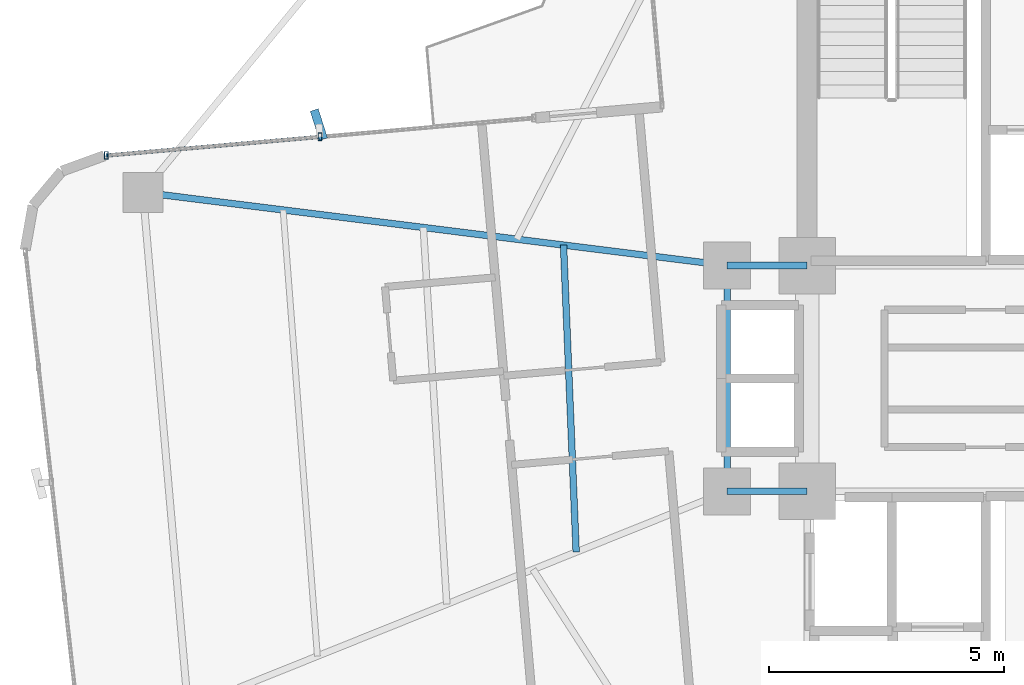
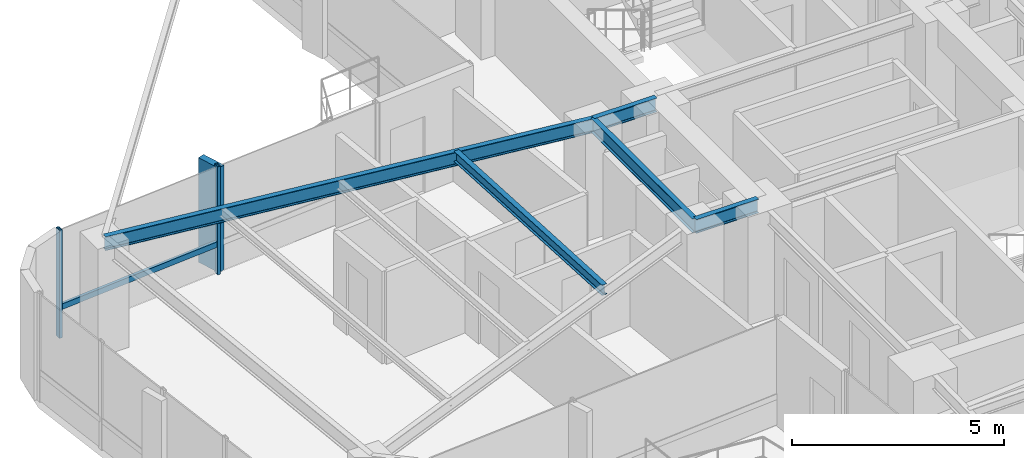
# One storey, part 9 of 24: 5 beams, 4 members, 1 element without a shape of its own.
"""IFC4 building model written with IfcOpenShell, lengths in metres."""

from ifc_helpers import new_model, si_unit, direction, frame, origin, origin_2d, place, context, subcontext, project, spatial, rectangle, hollow_rectangle, i_section, extrude, source, transform, mapped, material, material_profile, profile_set, type_object, element, aggregate, save


model = new_model("IFC4")

# Units and contexts
model_context = context("Model", 3, precision=1e-05, world=origin(), true_north=direction((0.0, 1.0)))
body_context = subcontext(model_context, "Body", "Model", "MODEL_VIEW")
ifc_project = project(units=[si_unit("LENGTHUNIT", "METRE"), si_unit("AREAUNIT", "SQUARE_METRE"), si_unit("VOLUMEUNIT", "CUBIC_METRE"), si_unit("PLANEANGLEUNIT", "RADIAN"), si_unit("MASSUNIT", "GRAM", prefix="KILO")], contexts=[model_context])

# Site, building, storey
site_placement = place(None, origin())
site = spatial("IfcSite", under=ifc_project, at=site_placement, CompositionType="ELEMENT")
building_placement = place(site_placement, origin())
building = spatial("IfcBuilding", under=site, at=building_placement, Name="Sahyath Konkavel Grand Hotel", CompositionType="ELEMENT")
storey_placement = place(building_placement, frame((0.0, 0.0, 157.300048828125)))
storey = spatial("IfcBuildingStorey", under=building, at=storey_placement, Name="L43", CompositionType="ELEMENT", Elevation=157.300048828125)

# Beams
ifc_material_1 = material(Name="Steel E350", Category="steel")
ifc_material_profile_1 = material_profile(ifc_material_1, i_section(OverallWidth=0.139892578125, OverallDepth=0.39990234375, WebThickness=0.0087890625, FlangeThickness=0.01611328125, FilletRadius=0.013916015625, at=origin_2d()), Name="ISMB 400")
ifc_profile_set_1 = profile_set([ifc_material_profile_1], Name="Steel E350")
beam_type_1 = type_object("IfcBeamType", Name="BM-ISMB400", PredefinedType="BEAM", material=ifc_profile_set_1)
shared_shape_1 = source(origin(), body_context, "Body", "SweptSolid", [
    extrude(i_section(OverallWidth=0.139892578125, OverallDepth=0.39990234375, WebThickness=0.0087890625, FlangeThickness=0.01611328125, FilletRadius=0.013916015625, at=origin_2d()), origin(), (0.0, 0.0, 1.0), 1.699951171875),
])
for number, where, z_axis, x_axis, name in (
    (1, (-5.5, 2.39990234375, 2.909912109375), (1.0, 0.0, 0.0), (0.0, 1.0, 0.0), "str:bm:L43:HB-NW"),
    (2, (-5.5, -2.39990234375, 2.909912109375), (1.0, 0.0, 0.0), (0.0, 1.0, 0.0), "str:bm:L43:HB-SW"),
):
    element("IfcBeam", number, at=place(storey_placement, frame(where, z_axis=z_axis, x_axis=x_axis)), inside=storey, type_object=beam_type_1, Name=name, PredefinedType="BEAM", context=body_context, shape_type="MappedRepresentation", body=[
        mapped(shared_shape_1, transform((0.0, 0.0, 0.0), scale=1.0)),
    ])
shared_shape_2 = source(origin(), body_context, "Body", "SweptSolid", [
    extrude(i_section(OverallWidth=0.139892578125, OverallDepth=0.39990234375, WebThickness=0.0087890625, FlangeThickness=0.01611328125, FilletRadius=0.013916015625, at=origin_2d()), origin(), (0.0, 0.0, 1.0), 4.7998046875),
])
beam_1_placement = place(storey_placement, frame((-5.5, -2.39990234375, 2.909912109375), z_axis=(0.0, 1.0, 0.0), x_axis=(-1.0, 0.0, 0.0)))
element("IfcBeam", 3, at=beam_1_placement, inside=storey, type_object=beam_type_1, Name="str:bm:L43:HB-W", PredefinedType="BEAM", context=body_context, shape_type="MappedRepresentation", body=[
    mapped(shared_shape_2, transform((0.0, 0.0, 0.0), scale=1.0)),
])
shared_shape_3 = source(origin(), body_context, "Body", "SweptSolid", [
    extrude(i_section(OverallWidth=0.139892578125, OverallDepth=0.39990234375, WebThickness=0.0087890625, FlangeThickness=0.01611328125, FilletRadius=0.013916015625, at=origin_2d()), origin(), (0.0, 0.0, 1.0), 12.509765625),
])
beam_2_placement = place(storey_placement, frame((-5.5, 2.39990234375, 2.909912109375), z_axis=(-0.992254740459, 0.124219684578, 0.0), x_axis=(-0.124219684578, -0.992254740459, 0.0)))
element("IfcBeam", 4, at=beam_2_placement, inside=storey, type_object=beam_type_1, Name="L43 Cruciform Radial Girder WA", PredefinedType="BEAM", context=body_context, shape_type="MappedRepresentation", body=[
    mapped(shared_shape_3, transform((0.0, 0.0, 0.0), scale=1.0)),
])
ifc_material_profile_2 = material_profile(ifc_material_1, i_section(OverallWidth=0.139892578125, OverallDepth=0.300048828125, WebThickness=0.0078125, FlangeThickness=0.01318359375, FilletRadius=0.013916015625, at=origin_2d()), Name="ISMB 300")
ifc_profile_set_2 = profile_set([ifc_material_profile_2], Name="Steel E350")
beam_type_2 = type_object("IfcBeamType", Name="BM-ISMB300", PredefinedType="BEAM", material=ifc_profile_set_2)
shared_shape_4 = source(origin(), body_context, "Body", "SweptSolid", [
    extrude(i_section(OverallWidth=0.139892578125, OverallDepth=0.300048828125, WebThickness=0.0078125, FlangeThickness=0.01318359375, FilletRadius=0.013916015625, at=origin_2d()), origin(), (0.0, 0.0, 1.0), 6.530029296875),
])
beam_3_placement = place(storey_placement, frame((-8.9755859375, 2.835205078125, 2.9599609375), z_axis=(0.04112667768, -0.999153940283, 0.0), x_axis=(0.999153940283, 0.04112667768, 0.0)))
element("IfcBeam", 5, at=beam_3_placement, inside=storey, type_object=beam_type_2, Name="L43 Secondary Floor Beam W-1", PredefinedType="BEAM", context=body_context, shape_type="MappedRepresentation", body=[
    mapped(shared_shape_4, transform((0.0, 0.0, 0.0), scale=1.0)),
])

# Curtain wall, members
ifc_material_2 = material(Name="Anodised Bronze Aluminium & Low-E Glazing", Category="aluminium")
curtain_wall_type = type_object("IfcCurtainWallType", Name="CW-ZONE3", PredefinedType="NOTDEFINED", material=ifc_material_2)
curtain_wall_placement = place(storey_placement, origin())
curtain_wall = element("IfcCurtainWall", 6, at=curtain_wall_placement, inside=storey, type_object=curtain_wall_type, Name="L43 Unitised Curtain Wall F16", PredefinedType="NOTDEFINED")
ifc_material_3 = material(Name="Anodised Bronze Aluminium", Category="aluminium")
ifc_material_profile_3 = material_profile(ifc_material_3, hollow_rectangle(XDim=0.080078125, YDim=0.159912109375, WallThickness=0.006103515625, at=origin_2d()), Name="RHS 160x80x6")
ifc_profile_set_3 = profile_set([ifc_material_profile_3], Name="Anodised Bronze Aluminium")
member_type_1 = type_object("IfcMemberType", Name="CW-MUL-160", PredefinedType="MULLION", material=ifc_profile_set_3)
shared_shape_5 = source(origin(), body_context, "Body", "SweptSolid", [
    extrude(hollow_rectangle(XDim=0.080078125, YDim=0.159912109375, WallThickness=0.006103515625, at=origin_2d()), origin(), (0.0, 0.0, 1.0), 3.10986328125),
])
member_1_placement = place(storey_placement, frame((-14.151611328125, 5.135986328125, 0.0), z_axis=(0.0, 0.0, 1.0), x_axis=(1.0, 0.0, 0.0)))
member_1 = element("IfcMember", 7, at=member_1_placement, type_object=member_type_1, Name="L43 Curtain Wall Mullion F16-1", PredefinedType="MULLION", context=body_context, shape_type="MappedRepresentation", body=[
    mapped(shared_shape_5, transform((0.0, 0.0, 0.0), scale=1.0)),
])
member_2_placement = place(storey_placement, frame((-18.694091796875, 4.73876953125, 0.0), z_axis=(0.0, 0.0, 1.0), x_axis=(1.0, 0.0, 0.0)))
member_2 = element("IfcMember", 8, at=member_2_placement, type_object=member_type_1, Name="L43 Curtain Wall Mullion F16-2", PredefinedType="MULLION", context=body_context, shape_type="MappedRepresentation", body=[
    mapped(shared_shape_5, transform((0.0, 0.0, 0.0), scale=1.0)),
])
ifc_material_4 = material(Name="Warm Buff Sandstone Cladding on Concrete C50/60", Category="masonry")
ifc_material_profile_4 = material_profile(ifc_material_4, rectangle(XDim=0.179931640625, YDim=0.64990234375, at=origin_2d()), Name="FIN 180x650")
ifc_profile_set_4 = profile_set([ifc_material_profile_4], Name="Warm Buff Sandstone Cladding on Concrete C50/60")
member_type_2 = type_object("IfcMemberType", Name="FIN-SANDSTONE-650", PredefinedType="MULLION", material=ifc_profile_set_4)
shared_shape_6 = source(origin(), body_context, "Body", "SweptSolid", [
    extrude(rectangle(XDim=0.179931640625, YDim=0.64990234375, at=origin_2d()), origin(), (0.0, 0.0, 1.0), 3.010009765625),
])
member_3_placement = place(storey_placement, frame((-14.17431640625, 5.39501953125, 0.050048828125), z_axis=(0.0, 0.0, 1.0), x_axis=(0.952767550771, 0.303700500819, 0.0)))
member_3 = element("IfcMember", 9, at=member_3_placement, type_object=member_type_2, Name="L43 Sandstone Vertical Solar Fin FIN F16-1", PredefinedType="MULLION", context=body_context, shape_type="MappedRepresentation", body=[
    mapped(shared_shape_6, transform((0.0, 0.0, 0.0), scale=1.0)),
])
ifc_material_profile_5 = material_profile(ifc_material_3, hollow_rectangle(XDim=0.080078125, YDim=0.159912109375, WallThickness=0.006103515625, at=origin_2d()), Name="RHS 160x80x6")
ifc_profile_set_5 = profile_set([ifc_material_profile_5], Name="Anodised Bronze Aluminium")
member_type_3 = type_object("IfcMemberType", Name="CW-TRN-160", PredefinedType="USERDEFINED", material=ifc_profile_set_5)
shared_shape_7 = source(origin(), body_context, "Body", "SweptSolid", [
    extrude(hollow_rectangle(XDim=0.080078125, YDim=0.159912109375, WallThickness=0.006103515625, at=origin_2d()), origin(), (0.0, 0.0, 1.0), 4.559814453125),
])
member_4_placement = place(storey_placement, frame((-14.151611328125, 5.135986328125, 0.849853515625), z_axis=(-0.99619848155, -0.087112486804, 0.0), x_axis=(0.087112486804, -0.99619848155, 0.0)))
member_4 = element("IfcMember", 10, at=member_4_placement, type_object=member_type_3, Name="L43 Curtain Wall Transom F16-1-spandrel", ObjectType="TRANSOM", PredefinedType="USERDEFINED", context=body_context, shape_type="MappedRepresentation", body=[
    mapped(shared_shape_7, transform((0.0, 0.0, 0.0), scale=1.0)),
])
aggregate(curtain_wall, [member_1, member_3, member_2, member_4])

save(model, "model.ifc")
